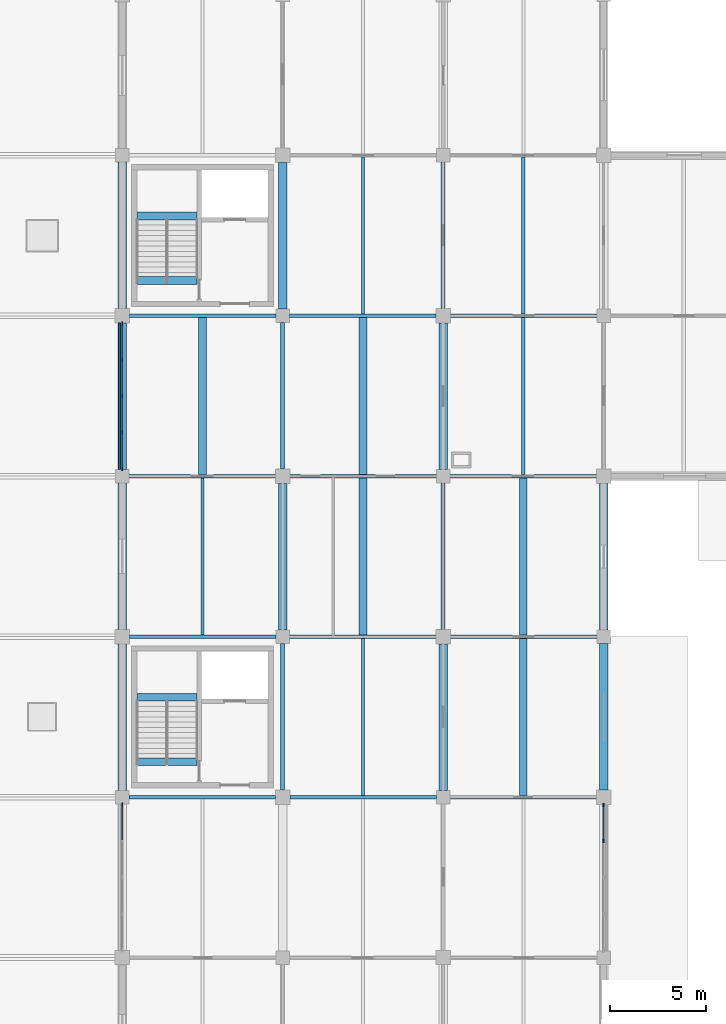
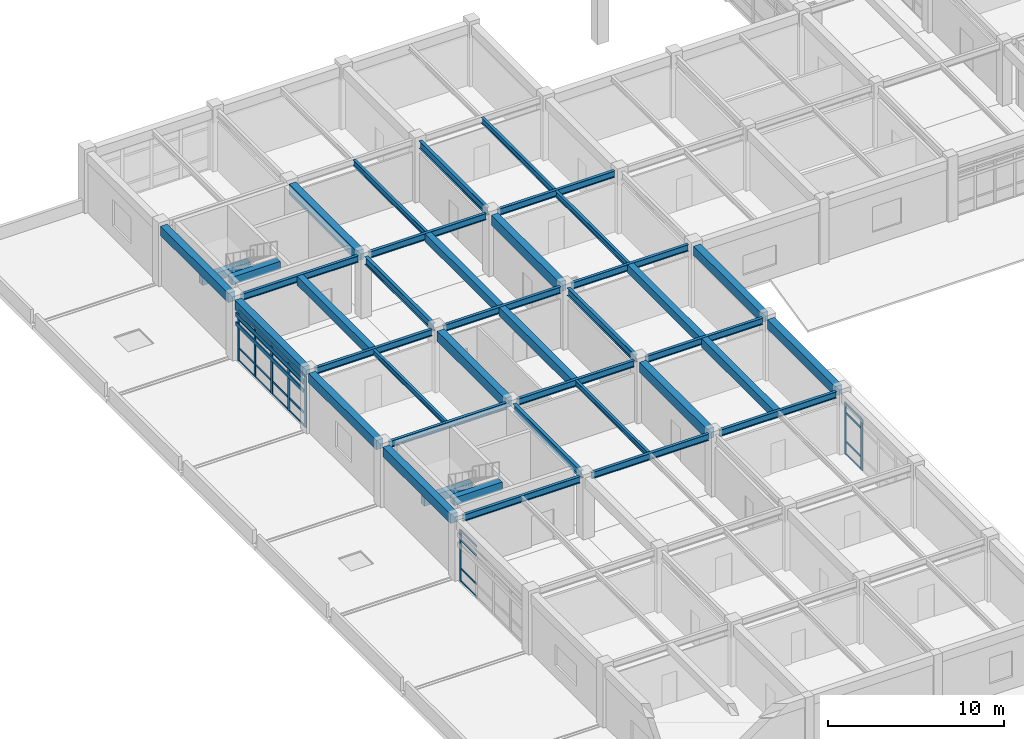
# One storey, part 4 of 78: 40 beams, 34 members, 3 elements without a shape of their own.
"""IFC4 building model written with IfcOpenShell, lengths in metres."""

from ifc_helpers import new_model, si_unit, direction, frame, origin, origin_2d, place, context, subcontext, project, spatial, rectangle, i_section, extrude, material, layer, layer_set, material_profile, profile_set, type_object, element, aggregate, save


model = new_model("IFC4")

# Units and contexts
model_context = context("Model", 3, precision=1e-05, world=origin(), true_north=direction((0.0, 1.0)))
body_context = subcontext(model_context, "Body", "Model", "MODEL_VIEW")
ifc_project = project(units=[si_unit("LENGTHUNIT", "METRE"), si_unit("AREAUNIT", "SQUARE_METRE"), si_unit("VOLUMEUNIT", "CUBIC_METRE"), si_unit("PLANEANGLEUNIT", "RADIAN"), si_unit("MASSUNIT", "GRAM", prefix="KILO")], contexts=[model_context])

# Site, building, storey
site_placement = place(None, origin())
site = spatial("IfcSite", under=ifc_project, at=site_placement, CompositionType="ELEMENT")
building_placement = place(site_placement, origin())
building = spatial("IfcBuilding", under=site, at=building_placement, Name="Porcellanite Civic Hall", CompositionType="ELEMENT")
storey_placement = place(building_placement, frame((0.0, 0.0, 10.260009765625)))
storey = spatial("IfcBuildingStorey", under=building, at=storey_placement, Name="L02", CompositionType="ELEMENT", Elevation=10.260009765625)

# Beams
ifc_material_1 = material(Name="Concrete N50 (50 MPa)", Category="concrete")
ifc_material_profile_1 = material_profile(ifc_material_1, rectangle(XDim=0.39990234375, YDim=0.550048828125, at=origin_2d()), Name="RC-400x550")
ifc_profile_set_1 = profile_set([ifc_material_profile_1], Name="Concrete N50 (50 MPa)")
beam_type_1 = type_object("IfcBeamType", Name="BM-RC550", PredefinedType="JOIST", material=ifc_profile_set_1)
beam_1_placement = place(storey_placement, frame((21.0, 50.494384765625, 3.965087890625), z_axis=(0.0, 1.0, 0.0), x_axis=(-1.0, 0.0, 0.0)))
element("IfcBeam", 1, at=beam_1_placement, inside=storey, type_object=beam_type_1, Name="Secondary joist L02 3-7", PredefinedType="JOIST", context=body_context, shape_type="SweptSolid", body=[
    extrude(rectangle(XDim=0.39990234375, YDim=0.550048828125, at=origin_2d()), origin(), (0.0, 0.0, 1.0), 8.211181640625),
])
beam_2_placement = place(storey_placement, frame((29.39990234375, 42.094482421875, 3.965087890625), z_axis=(0.0, 1.0, 0.0), x_axis=(-1.0, 0.0, 0.0)))
element("IfcBeam", 2, at=beam_2_placement, inside=storey, type_object=beam_type_1, Name="Secondary joist L02 4-6", PredefinedType="JOIST", context=body_context, shape_type="SweptSolid", body=[
    extrude(rectangle(XDim=0.39990234375, YDim=0.550048828125, at=origin_2d()), origin(), (0.0, 0.0, 1.0), 8.2109375),
])
for number, where, z_axis, x_axis, name in (
    (3, (9.160400390625, 38.824951171875, 1.885009765625), (1.0, 0.0, 0.0), (0.0, 1.0, 0.0), "Stair landing beam C1 L02"),
    (4, (9.160400390625, 35.449951171875, 3.965087890625), (1.0, 0.0, 0.0), (0.0, 1.0, 0.0), "Stair header beam C1 L02"),
    (5, (9.160400390625, 64.02490234375, 1.885009765625), (1.0, 0.0, 0.0), (0.0, 1.0, 0.0), "Stair landing beam C2 L02"),
    (6, (9.160400390625, 60.64990234375, 3.965087890625), (1.0, 0.0, 0.0), (0.0, 1.0, 0.0), "Stair header beam C2 L02"),
):
    element("IfcBeam", number, at=place(storey_placement, frame(where, z_axis=z_axis, x_axis=x_axis)), inside=storey, type_object=beam_type_1, Name=name, PredefinedType="JOIST", context=body_context, shape_type="SweptSolid", body=[
        extrude(rectangle(XDim=0.39990234375, YDim=0.550048828125, at=origin_2d()), origin(), (0.0, 0.0, 1.0), 3.1591796875),
    ])
ifc_material_2 = material(Name="Concrete N50 (50 MPa)", Category="concrete")
ifc_material_profile_2 = material_profile(ifc_material_2, rectangle(XDim=0.39990234375, YDim=0.60009765625, at=origin_2d()), Name="RC-400x600")
ifc_profile_set_2 = profile_set([ifc_material_profile_2], Name="Concrete N50 (50 MPa)")
beam_type_2 = type_object("IfcBeamType", Name="BM-RC600", PredefinedType="JOIST", material=ifc_profile_set_2)
beam_3_placement = place(storey_placement, frame((12.60009765625, 50.494384765625, 3.93994140625), z_axis=(0.0, 1.0, 0.0), x_axis=(-1.0, 0.0, 0.0)))
element("IfcBeam", 7, at=beam_3_placement, inside=storey, type_object=beam_type_2, Name="Secondary joist L02 2-7", PredefinedType="JOIST", context=body_context, shape_type="SweptSolid", body=[
    extrude(rectangle(XDim=0.39990234375, YDim=0.60009765625, at=origin_2d()), origin(), (0.0, 0.0, 1.0), 8.211181640625),
])
for number, where, z_axis, x_axis, name in (
    (8, (21.0, 42.094482421875, 3.93994140625), (0.0, 1.0, 0.0), (-1.0, 0.0, 0.0), "Secondary joist L02 3-6"),
    (9, (29.39990234375, 33.694580078125, 3.93994140625), (0.0, 1.0, 0.0), (-1.0, 0.0, 0.0), "Secondary joist L02 4-5"),
):
    element("IfcBeam", number, at=place(storey_placement, frame(where, z_axis=z_axis, x_axis=x_axis)), inside=storey, type_object=beam_type_2, Name=name, PredefinedType="JOIST", context=body_context, shape_type="SweptSolid", body=[
        extrude(rectangle(XDim=0.39990234375, YDim=0.60009765625, at=origin_2d()), origin(), (0.0, 0.0, 1.0), 8.2109375),
    ])
ifc_material_3 = material(Name="Concrete N50 (50 MPa)", Category="concrete")
ifc_material_profile_3 = material_profile(ifc_material_3, rectangle(XDim=0.449951171875, YDim=0.64990234375, at=origin_2d()), Name="RC-450x650")
ifc_profile_set_3 = profile_set([ifc_material_profile_3], Name="Concrete N50 (50 MPa)")
beam_type_3 = type_object("IfcBeamType", Name="BM-RC650", PredefinedType="SPANDREL", material=ifc_profile_set_3)
for number, where, z_axis, x_axis, name in (
    (10, (8.39990234375, 33.949462890625, 3.9150390625), (0.0, 1.0, 0.0), (-1.0, 0.0, 0.0), "Beam Y L02 2-5"),
    (11, (8.39990234375, 42.37451171875, 3.9150390625), (0.0, 1.0, 0.0), (-1.0, 0.0, 0.0), "Beam Y L02 2-6"),
    (12, (8.39990234375, 50.74951171875, 3.9150390625), (0.0, 1.0, 0.0), (-1.0, 0.0, 0.0), "Beam Y L02 2-7"),
    (13, (8.39990234375, 59.174560546875, 3.9150390625), (0.0, 1.0, 0.0), (-1.0, 0.0, 0.0), "Beam Y L02 2-8"),
):
    element("IfcBeam", number, at=place(storey_placement, frame(where, z_axis=z_axis, x_axis=x_axis)), inside=storey, type_object=beam_type_3, Name=name, PredefinedType="SPANDREL", context=body_context, shape_type="SweptSolid", body=[
        extrude(rectangle(XDim=0.449951171875, YDim=0.64990234375, at=origin_2d()), origin(), (0.0, 0.0, 1.0), 7.676025390625),
    ])
for number, where, z_axis, x_axis, name in (
    (14, (33.60009765625, 33.974609375, 3.9150390625), (0.0, 1.0, 0.0), (-1.0, 0.0, 0.0), "Beam Y L02 5-5"),
    (15, (33.60009765625, 42.349609375, 3.9150390625), (0.0, 1.0, 0.0), (-1.0, 0.0, 0.0), "Beam Y L02 5-6"),
):
    element("IfcBeam", number, at=place(storey_placement, frame(where, z_axis=z_axis, x_axis=x_axis)), inside=storey, type_object=beam_type_3, Name=name, PredefinedType="SPANDREL", context=body_context, shape_type="SweptSolid", body=[
        extrude(rectangle(XDim=0.449951171875, YDim=0.64990234375, at=origin_2d()), origin(), (0.0, 0.0, 1.0), 7.67578125),
    ])
ifc_material_4 = material(Name="Concrete N50 (50 MPa)", Category="concrete")
ifc_material_profile_4 = material_profile(ifc_material_4, rectangle(XDim=0.449951171875, YDim=0.699951171875, at=origin_2d()), Name="RC-450x700")
ifc_profile_set_4 = profile_set([ifc_material_profile_4], Name="Concrete N50 (50 MPa)")
beam_type_4 = type_object("IfcBeamType", Name="BM-RC700", PredefinedType="BEAM", material=ifc_profile_set_4)
beam_4_placement = place(storey_placement, frame((16.800048828125, 42.349609375, 3.889892578125), z_axis=(0.0, 1.0, 0.0), x_axis=(-1.0, 0.0, 0.0)))
element("IfcBeam", 16, at=beam_4_placement, inside=storey, type_object=beam_type_4, Name="Beam Y L02 3-6", PredefinedType="BEAM", context=body_context, shape_type="SweptSolid", body=[
    extrude(rectangle(XDim=0.449951171875, YDim=0.699951171875, at=origin_2d()), origin(), (0.0, 0.0, 1.0), 7.67578125),
])
for number, where, z_axis, x_axis, name in (
    (17, (16.800048828125, 59.1494140625, 3.889892578125), (0.0, 1.0, 0.0), (-1.0, 0.0, 0.0), "Beam Y L02 3-8"),
    (18, (25.199951171875, 33.949462890625, 3.889892578125), (0.0, 1.0, 0.0), (-1.0, 0.0, 0.0), "Beam Y L02 4-5"),
    (19, (25.199951171875, 50.74951171875, 3.889892578125), (0.0, 1.0, 0.0), (-1.0, 0.0, 0.0), "Beam Y L02 4-7"),
):
    element("IfcBeam", number, at=place(storey_placement, frame(where, z_axis=z_axis, x_axis=x_axis)), inside=storey, type_object=beam_type_4, Name=name, PredefinedType="BEAM", context=body_context, shape_type="SweptSolid", body=[
        extrude(rectangle(XDim=0.449951171875, YDim=0.699951171875, at=origin_2d()), origin(), (0.0, 0.0, 1.0), 7.676025390625),
    ])

# Curtain wall, member
ifc_material_5 = material(Name="Anodised aluminium and solar laminated glass", Category="aluminium")
ifc_layer = layer(ifc_material_5, 0.179931640625)
ifc_layer_set = layer_set([ifc_layer], Name="Anodised aluminium and solar laminated glass")
curtain_wall_type = type_object("IfcCurtainWallType", Name="CW-SYS05", PredefinedType="NOTDEFINED", material=ifc_layer_set)
curtain_wall_1_placement = place(storey_placement, origin())
curtain_wall_1 = element("IfcCurtainWall", 20, at=curtain_wall_1_placement, inside=storey, type_object=curtain_wall_type, Name="Curtain wall CW-132", PredefinedType="NOTDEFINED")
ifc_material_6 = material(Name="Anodised aluminium 6063-T6", Category="aluminium")
ifc_material_profile_5 = material_profile(ifc_material_6, rectangle(XDim=0.070068359375, YDim=0.199951171875, at=origin_2d()), Name="AL-70x200")
ifc_profile_set_5 = profile_set([ifc_material_profile_5], Name="Anodised aluminium 6063-T6")
member_type_1 = type_object("IfcMemberType", Name="CWM-05", PredefinedType="MULLION", material=ifc_profile_set_5)
member_1_placement = place(storey_placement, frame((8.39990234375, 33.214111328125, 0.0), z_axis=(0.0, 0.0, 1.0), x_axis=(-1.0, 0.0, 0.0)))
member_1 = element("IfcMember", 21, at=member_1_placement, type_object=member_type_1, Name="CW-132 mullion 5", PredefinedType="MULLION", context=body_context, shape_type="SweptSolid", body=[
    extrude(rectangle(XDim=0.070068359375, YDim=0.199951171875, at=origin_2d()), origin(), (0.0, 0.0, 1.0), 3.5400390625),
])

# Curtain wall, members
curtain_wall_2_placement = place(storey_placement, origin())
curtain_wall_2 = element("IfcCurtainWall", 22, at=curtain_wall_2_placement, inside=storey, type_object=curtain_wall_type, Name="Curtain wall CW-133", PredefinedType="NOTDEFINED")
member_2_placement = place(storey_placement, frame((8.39990234375, 50.785888671875, 0.0), z_axis=(0.0, 0.0, 1.0), x_axis=(-1.0, 0.0, 0.0)))
member_2 = element("IfcMember", 23, at=member_2_placement, type_object=member_type_1, Name="CW-133 mullion 1", PredefinedType="MULLION", context=body_context, shape_type="SweptSolid", body=[
    extrude(rectangle(XDim=0.070068359375, YDim=0.199951171875, at=origin_2d()), origin(), (0.0, 0.0, 1.0), 3.5400390625),
])
member_3_placement = place(storey_placement, frame((8.39990234375, 52.669189453125, 0.0), z_axis=(0.0, 0.0, 1.0), x_axis=(-1.0, 0.0, 0.0)))
member_3 = element("IfcMember", 24, at=member_3_placement, type_object=member_type_1, Name="CW-133 mullion 2", PredefinedType="MULLION", context=body_context, shape_type="SweptSolid", body=[
    extrude(rectangle(XDim=0.070068359375, YDim=0.199951171875, at=origin_2d()), origin(), (0.0, 0.0, 1.0), 3.5400390625),
])
member_4_placement = place(storey_placement, frame((8.39990234375, 54.58740234375, 0.0), z_axis=(0.0, 0.0, 1.0), x_axis=(-1.0, 0.0, 0.0)))
member_4 = element("IfcMember", 25, at=member_4_placement, type_object=member_type_1, Name="CW-133 mullion 3", PredefinedType="MULLION", context=body_context, shape_type="SweptSolid", body=[
    extrude(rectangle(XDim=0.070068359375, YDim=0.199951171875, at=origin_2d()), origin(), (0.0, 0.0, 1.0), 3.5400390625),
])
member_5_placement = place(storey_placement, frame((8.39990234375, 56.505859375, 0.0), z_axis=(0.0, 0.0, 1.0), x_axis=(-1.0, 0.0, 0.0)))
member_5 = element("IfcMember", 26, at=member_5_placement, type_object=member_type_1, Name="CW-133 mullion 4", PredefinedType="MULLION", context=body_context, shape_type="SweptSolid", body=[
    extrude(rectangle(XDim=0.070068359375, YDim=0.199951171875, at=origin_2d()), origin(), (0.0, 0.0, 1.0), 3.5400390625),
])
member_6_placement = place(storey_placement, frame((8.39990234375, 58.388916015625, 0.0), z_axis=(0.0, 0.0, 1.0), x_axis=(-1.0, 0.0, 0.0)))
member_6 = element("IfcMember", 27, at=member_6_placement, type_object=member_type_1, Name="CW-133 mullion 5", PredefinedType="MULLION", context=body_context, shape_type="SweptSolid", body=[
    extrude(rectangle(XDim=0.070068359375, YDim=0.199951171875, at=origin_2d()), origin(), (0.0, 0.0, 1.0), 3.5400390625),
])

curtain_wall_3_placement = place(storey_placement, origin())
curtain_wall_3 = element("IfcCurtainWall", 28, at=curtain_wall_3_placement, inside=storey, type_object=curtain_wall_type, Name="Curtain wall CW-135", PredefinedType="NOTDEFINED")
member_7_placement = place(storey_placement, frame((33.60009765625, 33.18896484375, 0.0), z_axis=(0.0, 0.0, 1.0), x_axis=(1.0, 0.0, 0.0)))
member_7 = element("IfcMember", 29, at=member_7_placement, type_object=member_type_1, Name="CW-135 mullion 1", PredefinedType="MULLION", context=body_context, shape_type="SweptSolid", body=[
    extrude(rectangle(XDim=0.070068359375, YDim=0.199951171875, at=origin_2d()), origin(), (0.0, 0.0, 1.0), 3.5400390625),
])
member_8_placement = place(storey_placement, frame((33.60009765625, 31.3056640625, 0.0), z_axis=(0.0, 0.0, 1.0), x_axis=(1.0, 0.0, 0.0)))
member_8 = element("IfcMember", 30, at=member_8_placement, type_object=member_type_1, Name="CW-135 mullion 2", PredefinedType="MULLION", context=body_context, shape_type="SweptSolid", body=[
    extrude(rectangle(XDim=0.070068359375, YDim=0.199951171875, at=origin_2d()), origin(), (0.0, 0.0, 1.0), 3.5400390625),
])

# Member
ifc_material_7 = material(Name="Anodised aluminium 6063-T6", Category="aluminium")
ifc_material_profile_6 = material_profile(ifc_material_7, rectangle(XDim=0.06005859375, YDim=0.1298828125, at=origin_2d()), Name="AL-60x130")
ifc_profile_set_6 = profile_set([ifc_material_profile_6], Name="Anodised aluminium 6063-T6")
member_type_2 = type_object("IfcMemberType", Name="CWT-03", PredefinedType="USERDEFINED", material=ifc_profile_set_6)
member_9_placement = place(storey_placement, frame((8.39990234375, 31.36572265625, 0.030029296875), z_axis=(0.0, 1.0, 0.0), x_axis=(-1.0, 0.0, 0.0)))
member_9 = element("IfcMember", 31, at=member_9_placement, type_object=member_type_2, Name="CW-132 transom 4.1", ObjectType="TRANSOM", PredefinedType="USERDEFINED", context=body_context, shape_type="SweptSolid", body=[
    extrude(rectangle(XDim=0.06005859375, YDim=0.1298828125, at=origin_2d()), origin(), (0.0, 0.0, 1.0), 1.813232421875),
])

member_10_placement = place(storey_placement, frame((8.39990234375, 31.36572265625, 0.89990234375), z_axis=(0.0, 1.0, 0.0), x_axis=(-1.0, 0.0, 0.0)))
member_10 = element("IfcMember", 32, at=member_10_placement, type_object=member_type_2, Name="CW-132 transom 4.2", ObjectType="TRANSOM", PredefinedType="USERDEFINED", context=body_context, shape_type="SweptSolid", body=[
    extrude(rectangle(XDim=0.06005859375, YDim=0.1298828125, at=origin_2d()), origin(), (0.0, 0.0, 1.0), 1.813232421875),
])

member_11_placement = place(storey_placement, frame((8.39990234375, 31.36572265625, 2.889892578125), z_axis=(0.0, 1.0, 0.0), x_axis=(-1.0, 0.0, 0.0)))
member_11 = element("IfcMember", 33, at=member_11_placement, type_object=member_type_2, Name="CW-132 transom 4.3", ObjectType="TRANSOM", PredefinedType="USERDEFINED", context=body_context, shape_type="SweptSolid", body=[
    extrude(rectangle(XDim=0.06005859375, YDim=0.1298828125, at=origin_2d()), origin(), (0.0, 0.0, 1.0), 1.813232421875),
])

member_12_placement = place(storey_placement, frame((8.39990234375, 31.36572265625, 3.510009765625), z_axis=(0.0, 1.0, 0.0), x_axis=(-1.0, 0.0, 0.0)))
member_12 = element("IfcMember", 34, at=member_12_placement, type_object=member_type_2, Name="CW-132 transom 4.4", ObjectType="TRANSOM", PredefinedType="USERDEFINED", context=body_context, shape_type="SweptSolid", body=[
    extrude(rectangle(XDim=0.06005859375, YDim=0.1298828125, at=origin_2d()), origin(), (0.0, 0.0, 1.0), 1.813232421875),
])

aggregate(curtain_wall_1, [member_1, member_9, member_10, member_11, member_12])

member_13_placement = place(storey_placement, frame((8.39990234375, 50.821044921875, 0.030029296875), z_axis=(0.0, 1.0, 0.0), x_axis=(-1.0, 0.0, 0.0)))
member_13 = element("IfcMember", 35, at=member_13_placement, type_object=member_type_2, Name="CW-133 transom 1.1", ObjectType="TRANSOM", PredefinedType="USERDEFINED", context=body_context, shape_type="SweptSolid", body=[
    extrude(rectangle(XDim=0.06005859375, YDim=0.1298828125, at=origin_2d()), origin(), (0.0, 0.0, 1.0), 1.813232421875),
])

member_14_placement = place(storey_placement, frame((8.39990234375, 50.821044921875, 0.89990234375), z_axis=(0.0, 1.0, 0.0), x_axis=(-1.0, 0.0, 0.0)))
member_14 = element("IfcMember", 36, at=member_14_placement, type_object=member_type_2, Name="CW-133 transom 1.2", ObjectType="TRANSOM", PredefinedType="USERDEFINED", context=body_context, shape_type="SweptSolid", body=[
    extrude(rectangle(XDim=0.06005859375, YDim=0.1298828125, at=origin_2d()), origin(), (0.0, 0.0, 1.0), 1.813232421875),
])

member_15_placement = place(storey_placement, frame((8.39990234375, 50.821044921875, 2.889892578125), z_axis=(0.0, 1.0, 0.0), x_axis=(-1.0, 0.0, 0.0)))
member_15 = element("IfcMember", 37, at=member_15_placement, type_object=member_type_2, Name="CW-133 transom 1.3", ObjectType="TRANSOM", PredefinedType="USERDEFINED", context=body_context, shape_type="SweptSolid", body=[
    extrude(rectangle(XDim=0.06005859375, YDim=0.1298828125, at=origin_2d()), origin(), (0.0, 0.0, 1.0), 1.813232421875),
])

member_16_placement = place(storey_placement, frame((8.39990234375, 50.821044921875, 3.510009765625), z_axis=(0.0, 1.0, 0.0), x_axis=(-1.0, 0.0, 0.0)))
member_16 = element("IfcMember", 38, at=member_16_placement, type_object=member_type_2, Name="CW-133 transom 1.4", ObjectType="TRANSOM", PredefinedType="USERDEFINED", context=body_context, shape_type="SweptSolid", body=[
    extrude(rectangle(XDim=0.06005859375, YDim=0.1298828125, at=origin_2d()), origin(), (0.0, 0.0, 1.0), 1.813232421875),
])

member_17_placement = place(storey_placement, frame((8.39990234375, 52.704345703125, 0.030029296875), z_axis=(0.0, 1.0, 0.0), x_axis=(-1.0, 0.0, 0.0)))
member_17 = element("IfcMember", 39, at=member_17_placement, type_object=member_type_2, Name="CW-133 transom 2.1", ObjectType="TRANSOM", PredefinedType="USERDEFINED", context=body_context, shape_type="SweptSolid", body=[
    extrude(rectangle(XDim=0.06005859375, YDim=0.1298828125, at=origin_2d()), origin(), (0.0, 0.0, 1.0), 1.84814453125),
])

member_18_placement = place(storey_placement, frame((8.39990234375, 52.704345703125, 0.89990234375), z_axis=(0.0, 1.0, 0.0), x_axis=(-1.0, 0.0, 0.0)))
member_18 = element("IfcMember", 40, at=member_18_placement, type_object=member_type_2, Name="CW-133 transom 2.2", ObjectType="TRANSOM", PredefinedType="USERDEFINED", context=body_context, shape_type="SweptSolid", body=[
    extrude(rectangle(XDim=0.06005859375, YDim=0.1298828125, at=origin_2d()), origin(), (0.0, 0.0, 1.0), 1.84814453125),
])

member_19_placement = place(storey_placement, frame((8.39990234375, 52.704345703125, 2.889892578125), z_axis=(0.0, 1.0, 0.0), x_axis=(-1.0, 0.0, 0.0)))
member_19 = element("IfcMember", 41, at=member_19_placement, type_object=member_type_2, Name="CW-133 transom 2.3", ObjectType="TRANSOM", PredefinedType="USERDEFINED", context=body_context, shape_type="SweptSolid", body=[
    extrude(rectangle(XDim=0.06005859375, YDim=0.1298828125, at=origin_2d()), origin(), (0.0, 0.0, 1.0), 1.84814453125),
])

member_20_placement = place(storey_placement, frame((8.39990234375, 52.704345703125, 3.510009765625), z_axis=(0.0, 1.0, 0.0), x_axis=(-1.0, 0.0, 0.0)))
member_20 = element("IfcMember", 42, at=member_20_placement, type_object=member_type_2, Name="CW-133 transom 2.4", ObjectType="TRANSOM", PredefinedType="USERDEFINED", context=body_context, shape_type="SweptSolid", body=[
    extrude(rectangle(XDim=0.06005859375, YDim=0.1298828125, at=origin_2d()), origin(), (0.0, 0.0, 1.0), 1.84814453125),
])

member_21_placement = place(storey_placement, frame((8.39990234375, 54.62255859375, 0.030029296875), z_axis=(0.0, 1.0, 0.0), x_axis=(-1.0, 0.0, 0.0)))
member_21 = element("IfcMember", 43, at=member_21_placement, type_object=member_type_2, Name="CW-133 transom 3.1", ObjectType="TRANSOM", PredefinedType="USERDEFINED", context=body_context, shape_type="SweptSolid", body=[
    extrude(rectangle(XDim=0.06005859375, YDim=0.1298828125, at=origin_2d()), origin(), (0.0, 0.0, 1.0), 1.84814453125),
])

member_22_placement = place(storey_placement, frame((8.39990234375, 54.62255859375, 0.89990234375), z_axis=(0.0, 1.0, 0.0), x_axis=(-1.0, 0.0, 0.0)))
member_22 = element("IfcMember", 44, at=member_22_placement, type_object=member_type_2, Name="CW-133 transom 3.2", ObjectType="TRANSOM", PredefinedType="USERDEFINED", context=body_context, shape_type="SweptSolid", body=[
    extrude(rectangle(XDim=0.06005859375, YDim=0.1298828125, at=origin_2d()), origin(), (0.0, 0.0, 1.0), 1.84814453125),
])

member_23_placement = place(storey_placement, frame((8.39990234375, 54.62255859375, 2.889892578125), z_axis=(0.0, 1.0, 0.0), x_axis=(-1.0, 0.0, 0.0)))
member_23 = element("IfcMember", 45, at=member_23_placement, type_object=member_type_2, Name="CW-133 transom 3.3", ObjectType="TRANSOM", PredefinedType="USERDEFINED", context=body_context, shape_type="SweptSolid", body=[
    extrude(rectangle(XDim=0.06005859375, YDim=0.1298828125, at=origin_2d()), origin(), (0.0, 0.0, 1.0), 1.84814453125),
])

member_24_placement = place(storey_placement, frame((8.39990234375, 54.62255859375, 3.510009765625), z_axis=(0.0, 1.0, 0.0), x_axis=(-1.0, 0.0, 0.0)))
member_24 = element("IfcMember", 46, at=member_24_placement, type_object=member_type_2, Name="CW-133 transom 3.4", ObjectType="TRANSOM", PredefinedType="USERDEFINED", context=body_context, shape_type="SweptSolid", body=[
    extrude(rectangle(XDim=0.06005859375, YDim=0.1298828125, at=origin_2d()), origin(), (0.0, 0.0, 1.0), 1.84814453125),
])

member_25_placement = place(storey_placement, frame((8.39990234375, 56.540771484375, 0.030029296875), z_axis=(0.0, 1.0, 0.0), x_axis=(-1.0, 0.0, 0.0)))
member_25 = element("IfcMember", 47, at=member_25_placement, type_object=member_type_2, Name="CW-133 transom 4.1", ObjectType="TRANSOM", PredefinedType="USERDEFINED", context=body_context, shape_type="SweptSolid", body=[
    extrude(rectangle(XDim=0.06005859375, YDim=0.1298828125, at=origin_2d()), origin(), (0.0, 0.0, 1.0), 1.813232421875),
])

member_26_placement = place(storey_placement, frame((8.39990234375, 56.540771484375, 0.89990234375), z_axis=(0.0, 1.0, 0.0), x_axis=(-1.0, 0.0, 0.0)))
member_26 = element("IfcMember", 48, at=member_26_placement, type_object=member_type_2, Name="CW-133 transom 4.2", ObjectType="TRANSOM", PredefinedType="USERDEFINED", context=body_context, shape_type="SweptSolid", body=[
    extrude(rectangle(XDim=0.06005859375, YDim=0.1298828125, at=origin_2d()), origin(), (0.0, 0.0, 1.0), 1.813232421875),
])

member_27_placement = place(storey_placement, frame((8.39990234375, 56.540771484375, 2.889892578125), z_axis=(0.0, 1.0, 0.0), x_axis=(-1.0, 0.0, 0.0)))
member_27 = element("IfcMember", 49, at=member_27_placement, type_object=member_type_2, Name="CW-133 transom 4.3", ObjectType="TRANSOM", PredefinedType="USERDEFINED", context=body_context, shape_type="SweptSolid", body=[
    extrude(rectangle(XDim=0.06005859375, YDim=0.1298828125, at=origin_2d()), origin(), (0.0, 0.0, 1.0), 1.813232421875),
])

member_28_placement = place(storey_placement, frame((8.39990234375, 56.540771484375, 3.510009765625), z_axis=(0.0, 1.0, 0.0), x_axis=(-1.0, 0.0, 0.0)))
member_28 = element("IfcMember", 50, at=member_28_placement, type_object=member_type_2, Name="CW-133 transom 4.4", ObjectType="TRANSOM", PredefinedType="USERDEFINED", context=body_context, shape_type="SweptSolid", body=[
    extrude(rectangle(XDim=0.06005859375, YDim=0.1298828125, at=origin_2d()), origin(), (0.0, 0.0, 1.0), 1.813232421875),
])

aggregate(curtain_wall_2, [member_2, member_3, member_4, member_5, member_6, member_13, member_14, member_15, member_16, member_17, member_18, member_19, member_20, member_21, member_22, member_23, member_24, member_25, member_26, member_27, member_28])

member_29_placement = place(storey_placement, frame((33.60009765625, 33.154052734375, 0.030029296875), z_axis=(0.0, -1.0, 0.0), x_axis=(1.0, 0.0, 0.0)))
member_29 = element("IfcMember", 51, at=member_29_placement, type_object=member_type_2, Name="CW-135 transom 1.1", ObjectType="TRANSOM", PredefinedType="USERDEFINED", context=body_context, shape_type="SweptSolid", body=[
    extrude(rectangle(XDim=0.06005859375, YDim=0.1298828125, at=origin_2d()), origin(), (0.0, 0.0, 1.0), 1.813232421875),
])

member_30_placement = place(storey_placement, frame((33.60009765625, 33.154052734375, 0.89990234375), z_axis=(0.0, -1.0, 0.0), x_axis=(1.0, 0.0, 0.0)))
member_30 = element("IfcMember", 52, at=member_30_placement, type_object=member_type_2, Name="CW-135 transom 1.2", ObjectType="TRANSOM", PredefinedType="USERDEFINED", context=body_context, shape_type="SweptSolid", body=[
    extrude(rectangle(XDim=0.06005859375, YDim=0.1298828125, at=origin_2d()), origin(), (0.0, 0.0, 1.0), 1.813232421875),
])

member_31_placement = place(storey_placement, frame((33.60009765625, 33.154052734375, 2.889892578125), z_axis=(0.0, -1.0, 0.0), x_axis=(1.0, 0.0, 0.0)))
member_31 = element("IfcMember", 53, at=member_31_placement, type_object=member_type_2, Name="CW-135 transom 1.3", ObjectType="TRANSOM", PredefinedType="USERDEFINED", context=body_context, shape_type="SweptSolid", body=[
    extrude(rectangle(XDim=0.06005859375, YDim=0.1298828125, at=origin_2d()), origin(), (0.0, 0.0, 1.0), 1.813232421875),
])

member_32_placement = place(storey_placement, frame((33.60009765625, 33.154052734375, 3.510009765625), z_axis=(0.0, -1.0, 0.0), x_axis=(1.0, 0.0, 0.0)))
member_32 = element("IfcMember", 54, at=member_32_placement, type_object=member_type_2, Name="CW-135 transom 1.4", ObjectType="TRANSOM", PredefinedType="USERDEFINED", context=body_context, shape_type="SweptSolid", body=[
    extrude(rectangle(XDim=0.06005859375, YDim=0.1298828125, at=origin_2d()), origin(), (0.0, 0.0, 1.0), 1.813232421875),
])

aggregate(curtain_wall_3, [member_7, member_8, member_29, member_30, member_31, member_32])

# Beams
ifc_material_8 = material(Name="Steel Grade 350", Category="steel")
ifc_material_profile_7 = material_profile(ifc_material_8, i_section(OverallWidth=0.1708984375, OverallDepth=0.35595703125, WebThickness=0.00732421875, FlangeThickness=0.011474609375, FilletRadius=0.011474609375, at=origin_2d()), Name="360UB50.7")
ifc_profile_set_7 = profile_set([ifc_material_profile_7], Name="Steel Grade 350")
beam_type_5 = type_object("IfcBeamType", Name="JST-360UB51", PredefinedType="JOIST", material=ifc_profile_set_7)
for number, where, z_axis, x_axis, name in (
    (55, (12.60009765625, 42.094482421875, 4.06201171875), (0.0, 1.0, 0.0), (-1.0, 0.0, 0.0), "Secondary joist L02 2-6"),
    (56, (21.0, 33.694580078125, 4.06201171875), (0.0, 1.0, 0.0), (-1.0, 0.0, 0.0), "Secondary joist L02 3-5"),
):
    element("IfcBeam", number, at=place(storey_placement, frame(where, z_axis=z_axis, x_axis=x_axis)), inside=storey, type_object=beam_type_5, Name=name, PredefinedType="JOIST", context=body_context, shape_type="SweptSolid", body=[
        extrude(i_section(OverallWidth=0.1708984375, OverallDepth=0.35595703125, WebThickness=0.00732421875, FlangeThickness=0.011474609375, FilletRadius=0.011474609375, at=origin_2d()), origin(), (0.0, 0.0, 1.0), 8.2109375),
    ])
ifc_material_9 = material(Name="Steel Grade 350", Category="steel")
ifc_material_profile_8 = material_profile(ifc_material_9, i_section(OverallWidth=0.177978515625, OverallDepth=0.403076171875, WebThickness=0.007568359375, FlangeThickness=0.010986328125, FilletRadius=0.011474609375, at=origin_2d()), Name="410UB53.7")
ifc_profile_set_8 = profile_set([ifc_material_profile_8], Name="Steel Grade 350")
beam_type_6 = type_object("IfcBeamType", Name="JST-410UB54", PredefinedType="JOIST", material=ifc_profile_set_8)
beam_5_placement = place(storey_placement, frame((29.39990234375, 58.89453125, 4.03857421875), z_axis=(0.0, 1.0, 0.0), x_axis=(-1.0, 0.0, 0.0)))
element("IfcBeam", 57, at=beam_5_placement, inside=storey, type_object=beam_type_6, Name="Secondary joist L02 4-8", PredefinedType="JOIST", context=body_context, shape_type="SweptSolid", body=[
    extrude(i_section(OverallWidth=0.177978515625, OverallDepth=0.403076171875, WebThickness=0.007568359375, FlangeThickness=0.010986328125, FilletRadius=0.011474609375, at=origin_2d()), origin(), (0.0, 0.0, 1.0), 8.2109375),
])
ifc_material_10 = material(Name="Steel Grade 350", Category="steel")
ifc_material_profile_9 = material_profile(ifc_material_10, i_section(OverallWidth=0.177978515625, OverallDepth=0.406005859375, WebThickness=0.0078125, FlangeThickness=0.0126953125, FilletRadius=0.011474609375, at=origin_2d()), Name="410UB59.7")
ifc_profile_set_9 = profile_set([ifc_material_profile_9], Name="Steel Grade 350")
beam_type_7 = type_object("IfcBeamType", Name="JST-410UB60", PredefinedType="JOIST", material=ifc_profile_set_9)
beam_6_placement = place(storey_placement, frame((21.0, 58.89453125, 4.037109375), z_axis=(0.0, 1.0, 0.0), x_axis=(-1.0, 0.0, 0.0)))
element("IfcBeam", 58, at=beam_6_placement, inside=storey, type_object=beam_type_7, Name="Secondary joist L02 3-8", PredefinedType="JOIST", context=body_context, shape_type="SweptSolid", body=[
    extrude(i_section(OverallWidth=0.177978515625, OverallDepth=0.406005859375, WebThickness=0.0078125, FlangeThickness=0.0126953125, FilletRadius=0.011474609375, at=origin_2d()), origin(), (0.0, 0.0, 1.0), 8.2109375),
])
beam_7_placement = place(storey_placement, frame((29.39990234375, 50.494384765625, 4.037109375), z_axis=(0.0, 1.0, 0.0), x_axis=(-1.0, 0.0, 0.0)))
element("IfcBeam", 59, at=beam_7_placement, inside=storey, type_object=beam_type_7, Name="Secondary joist L02 4-7", PredefinedType="JOIST", context=body_context, shape_type="SweptSolid", body=[
    extrude(i_section(OverallWidth=0.177978515625, OverallDepth=0.406005859375, WebThickness=0.0078125, FlangeThickness=0.0126953125, FilletRadius=0.011474609375, at=origin_2d()), origin(), (0.0, 0.0, 1.0), 8.211181640625),
])

# Members
ifc_material_11 = material(Name="Fluoropolymer bauxite-red aluminium 6063-T6", Category="aluminium")
ifc_material_profile_10 = material_profile(ifc_material_11, rectangle(XDim=0.070068359375, YDim=0.280029296875, at=origin_2d()), Name="AL-70x280")
ifc_profile_set_10 = profile_set([ifc_material_profile_10], Name="Fluoropolymer bauxite-red aluminium 6063-T6")
member_type_3 = type_object("IfcMemberType", Name="LV-BLD05", PredefinedType="USERDEFINED", material=ifc_profile_set_10)
for number, where, z_axis, x_axis, name in (
    (60, (8.262939453125, 50.74951171875, 3.239990234375), (0.0, 1.0, 0.0), (-1.0, 0.0, 0.0), "Cyclone sunshade louvre L02 W 1-6 1"),
    (61, (8.262939453125, 50.74951171875, 2.590087890625), (0.0, 1.0, 0.0), (-1.0, 0.0, 0.0), "Cyclone sunshade louvre L02 W 1-6 2"),
):
    element("IfcMember", number, at=place(storey_placement, frame(where, z_axis=z_axis, x_axis=x_axis)), inside=storey, type_object=member_type_3, Name=name, ObjectType="LOUVRE BLADE", PredefinedType="USERDEFINED", context=body_context, shape_type="SweptSolid", body=[
        extrude(rectangle(XDim=0.070068359375, YDim=0.280029296875, at=origin_2d()), origin(), (0.0, 0.0, 1.0), 7.676025390625),
    ])

# Beams
ifc_material_12 = material(Name="Steel Grade 350", Category="steel")
ifc_material_profile_11 = material_profile(ifc_material_12, i_section(OverallWidth=0.18994140625, OverallDepth=0.4541015625, WebThickness=0.008544921875, FlangeThickness=0.0126953125, FilletRadius=0.011474609375, at=origin_2d()), Name="460UB67.1")
ifc_profile_set_11 = profile_set([ifc_material_profile_11], Name="Steel Grade 350")
beam_type_8 = type_object("IfcBeamType", Name="RAF-460UB67", PredefinedType="BEAM", material=ifc_profile_set_11)
for number, where, z_axis, x_axis, name in (
    (62, (8.74951171875, 33.60009765625, 4.012939453125), (1.0, 0.0, 0.0), (0.0, 1.0, 0.0), "Beam X L02 2-5"),
    (63, (8.7744140625, 42.0, 4.012939453125), (1.0, 0.0, 0.0), (0.0, 1.0, 0.0), "Beam X L02 2-6"),
    (64, (8.74951171875, 50.39990234375, 4.012939453125), (1.0, 0.0, 0.0), (0.0, 1.0, 0.0), "Beam X L02 2-7"),
    (65, (8.7744140625, 58.800048828125, 4.012939453125), (1.0, 0.0, 0.0), (0.0, 1.0, 0.0), "Beam X L02 2-8"),
    (66, (17.174560546875, 33.60009765625, 4.012939453125), (1.0, 0.0, 0.0), (0.0, 1.0, 0.0), "Beam X L02 3-5"),
    (67, (17.1494140625, 42.0, 4.012939453125), (1.0, 0.0, 0.0), (0.0, 1.0, 0.0), "Beam X L02 3-6"),
    (68, (17.174560546875, 50.39990234375, 4.012939453125), (1.0, 0.0, 0.0), (0.0, 1.0, 0.0), "Beam X L02 3-7"),
    (69, (17.1494140625, 58.800048828125, 4.012939453125), (1.0, 0.0, 0.0), (0.0, 1.0, 0.0), "Beam X L02 3-8"),
    (70, (25.549560546875, 33.60009765625, 4.012939453125), (1.0, 0.0, 0.0), (0.0, 1.0, 0.0), "Beam X L02 4-5"),
    (71, (25.574462890625, 42.0, 4.012939453125), (1.0, 0.0, 0.0), (0.0, 1.0, 0.0), "Beam X L02 4-6"),
    (72, (25.549560546875, 50.39990234375, 4.012939453125), (1.0, 0.0, 0.0), (0.0, 1.0, 0.0), "Beam X L02 4-7"),
    (73, (25.574462890625, 58.800048828125, 4.012939453125), (1.0, 0.0, 0.0), (0.0, 1.0, 0.0), "Beam X L02 4-8"),
):
    element("IfcBeam", number, at=place(storey_placement, frame(where, z_axis=z_axis, x_axis=x_axis)), inside=storey, type_object=beam_type_8, Name=name, PredefinedType="BEAM", context=body_context, shape_type="SweptSolid", body=[
        extrude(i_section(OverallWidth=0.18994140625, OverallDepth=0.4541015625, WebThickness=0.008544921875, FlangeThickness=0.0126953125, FilletRadius=0.011474609375, at=origin_2d()), origin(), (0.0, 0.0, 1.0), 7.676025390625),
    ])
ifc_material_13 = material(Name="Steel Grade 350", Category="steel")
ifc_material_profile_12 = material_profile(ifc_material_13, i_section(OverallWidth=0.208984375, OverallDepth=0.528076171875, WebThickness=0.009521484375, FlangeThickness=0.01318359375, FilletRadius=0.013916015625, at=origin_2d()), Name="530UB82.0")
ifc_profile_set_12 = profile_set([ifc_material_profile_12], Name="Steel Grade 350")
beam_type_9 = type_object("IfcBeamType", Name="RAF-530UB82", PredefinedType="BEAM", material=ifc_profile_set_12)
beam_8_placement = place(storey_placement, frame((16.800048828125, 33.974609375, 3.97607421875), z_axis=(0.0, 1.0, 0.0), x_axis=(-1.0, 0.0, 0.0)))
element("IfcBeam", 74, at=beam_8_placement, inside=storey, type_object=beam_type_9, Name="Beam Y L02 3-5", PredefinedType="BEAM", context=body_context, shape_type="SweptSolid", body=[
    extrude(i_section(OverallWidth=0.208984375, OverallDepth=0.528076171875, WebThickness=0.009521484375, FlangeThickness=0.01318359375, FilletRadius=0.013916015625, at=origin_2d()), origin(), (0.0, 0.0, 1.0), 7.67578125),
])
for number, where, z_axis, x_axis, name in (
    (75, (16.800048828125, 50.7744140625, 3.97607421875), (0.0, 1.0, 0.0), (-1.0, 0.0, 0.0), "Beam Y L02 3-7"),
    (76, (25.199951171875, 42.37451171875, 3.97607421875), (0.0, 1.0, 0.0), (-1.0, 0.0, 0.0), "Beam Y L02 4-6"),
    (77, (25.199951171875, 59.174560546875, 3.97607421875), (0.0, 1.0, 0.0), (-1.0, 0.0, 0.0), "Beam Y L02 4-8"),
):
    element("IfcBeam", number, at=place(storey_placement, frame(where, z_axis=z_axis, x_axis=x_axis)), inside=storey, type_object=beam_type_9, Name=name, PredefinedType="BEAM", context=body_context, shape_type="SweptSolid", body=[
        extrude(i_section(OverallWidth=0.208984375, OverallDepth=0.528076171875, WebThickness=0.009521484375, FlangeThickness=0.01318359375, FilletRadius=0.013916015625, at=origin_2d()), origin(), (0.0, 0.0, 1.0), 7.676025390625),
    ])

save(model, "model.ifc")
